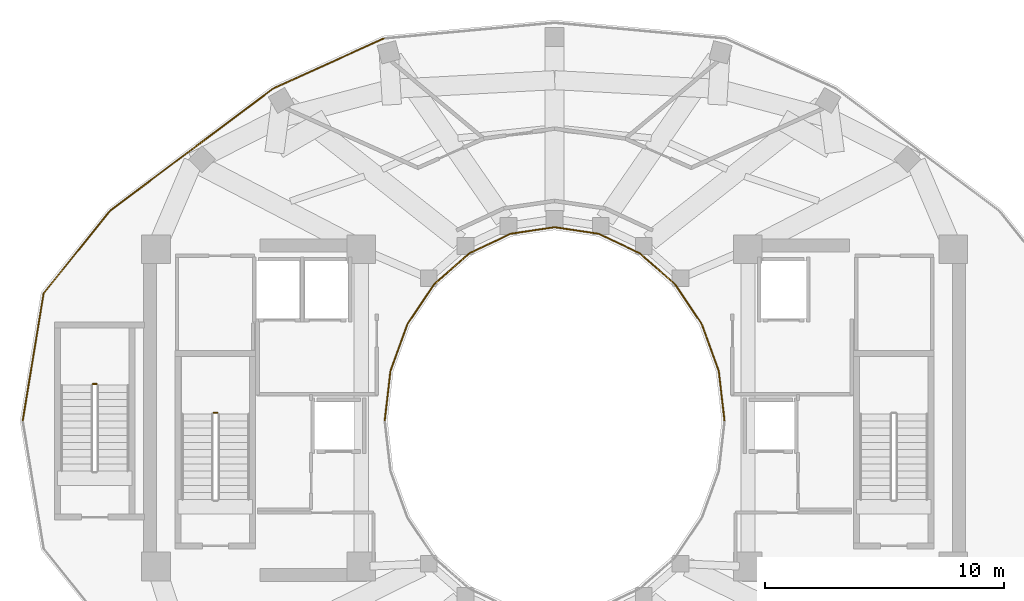
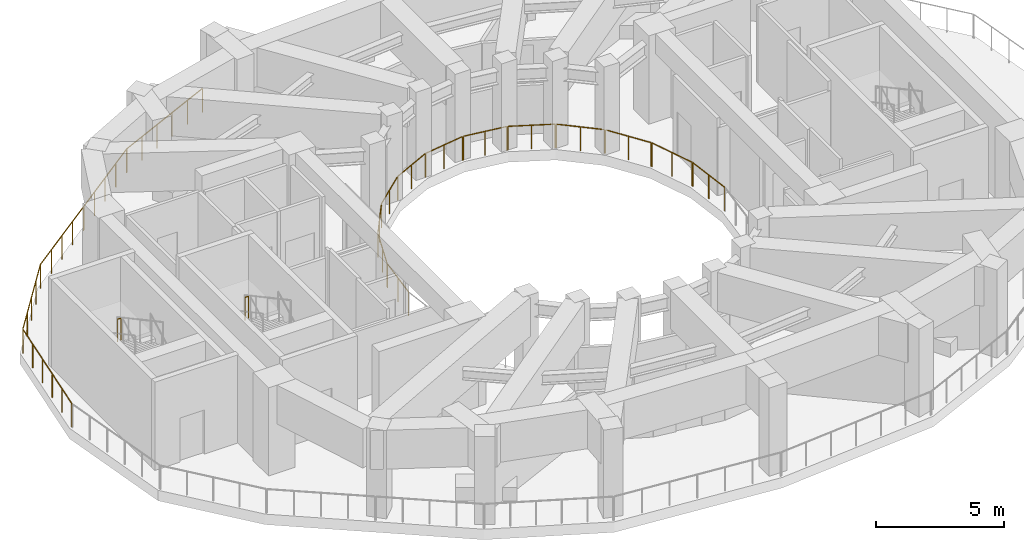
# One storey, part 7 of 9: 19 railings.
"""IFC4 building model written with IfcOpenShell, lengths in metres."""

from ifc_helpers import new_model, si_unit, direction, frame, origin, origin_2d, place, context, subcontext, project, spatial, circle, extrude, material, type_object, element, save


model = new_model("IFC4")

# Units and contexts
model_context = context("Model", 3, precision=1e-05, world=origin(), true_north=direction((0.0, 1.0)))
body_context = subcontext(model_context, "Body", "Model", "MODEL_VIEW")
ifc_project = project(units=[si_unit("LENGTHUNIT", "METRE"), si_unit("AREAUNIT", "SQUARE_METRE"), si_unit("VOLUMEUNIT", "CUBIC_METRE"), si_unit("PLANEANGLEUNIT", "RADIAN"), si_unit("MASSUNIT", "GRAM", prefix="KILO")], contexts=[model_context])

# Site, building, storey
site_placement = place(None, origin())
site = spatial("IfcSite", under=ifc_project, at=site_placement, CompositionType="ELEMENT")
building_placement = place(site_placement, origin())
building = spatial("IfcBuilding", under=site, at=building_placement, Name="Solvane Sanctuary Tower", CompositionType="ELEMENT")
storey_placement = place(building_placement, frame((0.0, 0.0, 197.39990234375)))
storey = spatial("IfcBuildingStorey", under=building, at=storey_placement, Name="L60", CompositionType="ELEMENT", Elevation=197.39990234375)

# Railings
ifc_material = material(Name="Architectural Stainless Steel 316", Category="steel")
railing_type_1 = type_object("IfcRailingType", Name="Railing GR-BALC-1150", PredefinedType="BALUSTRADE", material=ifc_material)
railing_1_placement = place(storey_placement, frame((24.8369140625, 39.022216796875, 0.0)))
element("IfcRailing", 1, at=railing_1_placement, inside=storey, type_object=railing_type_1, Name="L60 Open Void-Portal Perimeter Balustrade 07", PredefinedType="BALUSTRADE", context=body_context, shape_type="SweptSolid", body=[
    extrude(circle(Radius=0.02392578125, at=origin_2d()), frame((0.0, 0.0, 1.1259765625), z_axis=(-0.911317289511, -0.411704745952, 0.0), x_axis=(0.411704745952, -0.911317289511, 0.0)), (0.0, 0.0, 1.0), 5.04345703125),
    extrude(circle(Radius=0.02099609375, at=origin_2d()), origin(), (0.0, 0.0, 1.0), 1.101806640625),
    extrude(circle(Radius=0.02099609375, at=origin_2d()), frame((-0.919189453125, -0.415283203125, 0.0)), (0.0, 0.0, 1.0), 1.101806640625),
    extrude(circle(Radius=0.02099609375, at=origin_2d()), frame((-1.83837890625, -0.83056640625, 0.0)), (0.0, 0.0, 1.0), 1.101806640625),
    extrude(circle(Radius=0.02099609375, at=origin_2d()), frame((-2.7578125, -1.245849609375, 0.0)), (0.0, 0.0, 1.0), 1.101806640625),
    extrude(circle(Radius=0.02099609375, at=origin_2d()), frame((-3.677001953125, -1.6611328125, 0.0)), (0.0, 0.0, 1.0), 1.101806640625),
    extrude(circle(Radius=0.02099609375, at=origin_2d()), frame((-4.59619140625, -2.076416015625, 0.0)), (0.0, 0.0, 1.0), 1.101806640625),
])
railing_2_placement = place(storey_placement, frame((20.20654296875, 36.925537109375, 0.0)))
element("IfcRailing", 2, at=railing_2_placement, inside=storey, type_object=railing_type_1, Name="L60 Open Void-Portal Perimeter Balustrade 08", PredefinedType="BALUSTRADE", context=body_context, shape_type="SweptSolid", body=[
    extrude(circle(Radius=0.02392578125, at=origin_2d()), frame((0.0, 0.0, 1.1259765625), z_axis=(-0.800193888641, -0.599741394754, 0.0), x_axis=(0.599741394754, -0.800193888641, 0.0)), (0.0, 0.0, 1.0), 4.22998046875),
    extrude(circle(Radius=0.02099609375, at=origin_2d()), origin(), (0.0, 0.0, 1.0), 1.101806640625),
    extrude(circle(Radius=0.02099609375, at=origin_2d()), frame((-0.84619140625, -0.63427734375, 0.0)), (0.0, 0.0, 1.0), 1.101806640625),
    extrude(circle(Radius=0.02099609375, at=origin_2d()), frame((-1.6923828125, -1.2685546875, 0.0)), (0.0, 0.0, 1.0), 1.101806640625),
    extrude(circle(Radius=0.02099609375, at=origin_2d()), frame((-2.53857421875, -1.902587890625, 0.0)), (0.0, 0.0, 1.0), 1.101806640625),
    extrude(circle(Radius=0.02099609375, at=origin_2d()), frame((-3.384765625, -2.536865234375, 0.0)), (0.0, 0.0, 1.0), 1.101806640625),
])
railing_3_placement = place(storey_placement, frame((16.789794921875, 34.36474609375, 0.0)))
element("IfcRailing", 3, at=railing_3_placement, inside=storey, type_object=railing_type_1, Name="L60 Open Void-Portal Perimeter Balustrade 09", PredefinedType="BALUSTRADE", context=body_context, shape_type="SweptSolid", body=[
    extrude(circle(Radius=0.02392578125, at=origin_2d()), frame((0.0, 0.0, 1.1259765625), z_axis=(-0.800781696112, -0.598956321589, 0.0), x_axis=(0.598956321589, -0.800781696112, 0.0)), (0.0, 0.0, 1.0), 4.2314453125),
    extrude(circle(Radius=0.02099609375, at=origin_2d()), origin(), (0.0, 0.0, 1.0), 1.101806640625),
    extrude(circle(Radius=0.02099609375, at=origin_2d()), frame((-0.84716796875, -0.633544921875, 0.0)), (0.0, 0.0, 1.0), 1.101806640625),
    extrude(circle(Radius=0.02099609375, at=origin_2d()), frame((-1.6943359375, -1.26708984375, 0.0)), (0.0, 0.0, 1.0), 1.101806640625),
    extrude(circle(Radius=0.02099609375, at=origin_2d()), frame((-2.541259765625, -1.90087890625, 0.0)), (0.0, 0.0, 1.0), 1.101806640625),
    extrude(circle(Radius=0.02099609375, at=origin_2d()), frame((-3.388427734375, -2.534423828125, 0.0)), (0.0, 0.0, 1.0), 1.101806640625),
])
railing_4_placement = place(storey_placement, frame((13.372802734375, 31.802734375, 0.0)))
element("IfcRailing", 4, at=railing_4_placement, inside=storey, type_object=railing_type_1, Name="L60 Open Void-Portal Perimeter Balustrade 10", PredefinedType="BALUSTRADE", context=body_context, shape_type="SweptSolid", body=[
    extrude(circle(Radius=0.02392578125, at=origin_2d()), frame((0.0, 0.0, 1.1259765625), z_axis=(-0.627456229841, -0.778651834669, 0.0), x_axis=(0.778651834669, -0.627456229841, 0.0)), (0.0, 0.0, 1.0), 4.414794921875),
    extrude(circle(Radius=0.02099609375, at=origin_2d()), origin(), (0.0, 0.0, 1.0), 1.101806640625),
    extrude(circle(Radius=0.02099609375, at=origin_2d()), frame((-0.6923828125, -0.859375, 0.0)), (0.0, 0.0, 1.0), 1.101806640625),
    extrude(circle(Radius=0.02099609375, at=origin_2d()), frame((-1.385009765625, -1.71875, 0.0)), (0.0, 0.0, 1.0), 1.101806640625),
    extrude(circle(Radius=0.02099609375, at=origin_2d()), frame((-2.07763671875, -2.578125, 0.0)), (0.0, 0.0, 1.0), 1.101806640625),
    extrude(circle(Radius=0.02099609375, at=origin_2d()), frame((-2.77001953125, -3.4375, 0.0)), (0.0, 0.0, 1.0), 1.101806640625),
])
railing_5_placement = place(storey_placement, frame((10.587158203125, 28.329833984375, 0.0)))
element("IfcRailing", 5, at=railing_5_placement, inside=storey, type_object=railing_type_1, Name="L60 Open Void-Portal Perimeter Balustrade 11", PredefinedType="BALUSTRADE", context=body_context, shape_type="SweptSolid", body=[
    extrude(circle(Radius=0.02392578125, at=origin_2d()), frame((0.0, 0.0, 1.1259765625), z_axis=(-0.162058943267, -0.986781079524, 0.0), x_axis=(0.986781079524, -0.162058943267, 0.0)), (0.0, 0.0, 1.0), 5.381103515625),
    extrude(circle(Radius=0.02099609375, at=origin_2d()), origin(), (0.0, 0.0, 1.0), 1.101806640625),
    extrude(circle(Radius=0.02099609375, at=origin_2d()), frame((-0.17431640625, -1.06201171875, 0.0)), (0.0, 0.0, 1.0), 1.101806640625),
    extrude(circle(Radius=0.02099609375, at=origin_2d()), frame((-0.348876953125, -2.1240234375, 0.0)), (0.0, 0.0, 1.0), 1.101806640625),
    extrude(circle(Radius=0.02099609375, at=origin_2d()), frame((-0.523193359375, -3.18603515625, 0.0)), (0.0, 0.0, 1.0), 1.101806640625),
    extrude(circle(Radius=0.02099609375, at=origin_2d()), frame((-0.69775390625, -4.248046875, 0.0)), (0.0, 0.0, 1.0), 1.101806640625),
    extrude(circle(Radius=0.02099609375, at=origin_2d()), frame((-0.8720703125, -5.31005859375, 0.0)), (0.0, 0.0, 1.0), 1.101806640625),
])
for number, where, name in (
    (6, (17.8701171875, 23.35009765625, 2.10009765625), "L60 ST-1 stair guard 2"),
    (7, (12.81005859375, 24.550048828125, 2.10009765625), "L60 ST-3 stair guard 2"),
):
    element("IfcRailing", number, at=place(storey_placement, frame(where)), inside=storey, type_object=railing_type_1, Name=name, PredefinedType="BALUSTRADE", context=body_context, shape_type="SweptSolid", body=[
        extrude(circle(Radius=0.02392578125, at=origin_2d()), frame((0.0, 0.0, 1.076171875), z_axis=(-1.0, 0.0, 0.0), x_axis=(0.0, -1.0, 0.0)), (0.0, 0.0, 1.0), 0.16015625),
        extrude(circle(Radius=0.02099609375, at=origin_2d()), origin(), (0.0, 0.0, 1.0), 1.052001953125),
        extrude(circle(Radius=0.02099609375, at=origin_2d()), frame((-0.16015625, 0.0, 0.0)), (0.0, 0.0, 1.0), 1.052001953125),
    ])
railing_type_2 = type_object("IfcRailingType", Name="Railing GR-WELL-1150", PredefinedType="GUARDRAIL", material=ifc_material)
railing_6_placement = place(storey_placement, frame((39.11767578125, 23.02001953125, 0.0)))
element("IfcRailing", 8, at=railing_6_placement, inside=storey, type_object=railing_type_2, Name="L60 Open Refuge Light-Well Guardrail 00", PredefinedType="GUARDRAIL", context=body_context, shape_type="SweptSolid", body=[
    extrude(circle(Radius=0.02392578125, at=origin_2d()), frame((0.0, 0.0, 1.1259765625), z_axis=(-0.114691080618, 0.993401205972, 0.0), x_axis=(-0.993401205972, -0.114691080618, 0.0)), (0.0, 0.0, 1.0), 2.075439453125),
    extrude(circle(Radius=0.02099609375, at=origin_2d()), origin(), (0.0, 0.0, 1.0), 1.101806640625),
    extrude(circle(Radius=0.02099609375, at=origin_2d()), frame((-0.119140625, 1.03076171875, 0.0)), (0.0, 0.0, 1.0), 1.101806640625),
    extrude(circle(Radius=0.02099609375, at=origin_2d()), frame((-0.238037109375, 2.061767578125, 0.0)), (0.0, 0.0, 1.0), 1.101806640625),
])
railing_7_placement = place(storey_placement, frame((38.87060546875, 25.120361328125, 0.0)))
element("IfcRailing", 9, at=railing_7_placement, inside=storey, type_object=railing_type_2, Name="L60 Open Refuge Light-Well Guardrail 01", PredefinedType="GUARDRAIL", context=body_context, shape_type="SweptSolid", body=[
    extrude(circle(Radius=0.02392578125, at=origin_2d()), frame((0.0, 0.0, 1.1259765625), z_axis=(-0.341416925197, 0.93991195502, 0.0), x_axis=(-0.93991195502, -0.341416925197, 0.0)), (0.0, 0.0, 1.0), 2.043701171875),
    extrude(circle(Radius=0.02099609375, at=origin_2d()), origin(), (0.0, 0.0, 1.0), 1.101806640625),
    extrude(circle(Radius=0.02099609375, at=origin_2d()), frame((-0.348876953125, 0.96044921875, 0.0)), (0.0, 0.0, 1.0), 1.101806640625),
    extrude(circle(Radius=0.02099609375, at=origin_2d()), frame((-0.69775390625, 1.9208984375, 0.0)), (0.0, 0.0, 1.0), 1.101806640625),
])
railing_8_placement = place(storey_placement, frame((38.15478515625, 27.07666015625, 0.0)))
element("IfcRailing", 10, at=railing_8_placement, inside=storey, type_object=railing_type_2, Name="L60 Open Refuge Light-Well Guardrail 02", PredefinedType="GUARDRAIL", context=body_context, shape_type="SweptSolid", body=[
    extrude(circle(Radius=0.02392578125, at=origin_2d()), frame((0.0, 0.0, 1.1259765625), z_axis=(-0.558155157445, 0.829736596889, 0.0), x_axis=(-0.829736596889, -0.558155157445, 0.0)), (0.0, 0.0, 1.0), 1.98681640625),
    extrude(circle(Radius=0.02099609375, at=origin_2d()), origin(), (0.0, 0.0, 1.0), 1.101806640625),
    extrude(circle(Radius=0.02099609375, at=origin_2d()), frame((-0.554443359375, 0.82421875, 0.0)), (0.0, 0.0, 1.0), 1.101806640625),
    extrude(circle(Radius=0.02099609375, at=origin_2d()), frame((-1.10888671875, 1.6484375, 0.0)), (0.0, 0.0, 1.0), 1.101806640625),
])
railing_9_placement = place(storey_placement, frame((37.01953125, 28.7548828125, 0.0)))
element("IfcRailing", 11, at=railing_9_placement, inside=storey, type_object=railing_type_2, Name="L60 Open Refuge Light-Well Guardrail 03", PredefinedType="GUARDRAIL", context=body_context, shape_type="SweptSolid", body=[
    extrude(circle(Radius=0.02392578125, at=origin_2d()), frame((0.0, 0.0, 1.1259765625), z_axis=(-0.752545174005, 0.658540629788, 0.0), x_axis=(-0.658540629788, -0.752545174005, 0.0)), (0.0, 0.0, 1.0), 1.919189453125),
    extrude(circle(Radius=0.02099609375, at=origin_2d()), origin(), (0.0, 0.0, 1.0), 1.101806640625),
    extrude(circle(Radius=0.02099609375, at=origin_2d()), frame((-0.72216796875, 0.6318359375, 0.0)), (0.0, 0.0, 1.0), 1.101806640625),
    extrude(circle(Radius=0.02099609375, at=origin_2d()), frame((-1.4443359375, 1.263916015625, 0.0)), (0.0, 0.0, 1.0), 1.101806640625),
])
railing_10_placement = place(storey_placement, frame((35.5419921875, 30.04052734375, 0.0)))
element("IfcRailing", 12, at=railing_10_placement, inside=storey, type_object=railing_type_2, Name="L60 Open Refuge Light-Well Guardrail 04", PredefinedType="GUARDRAIL", context=body_context, shape_type="SweptSolid", body=[
    extrude(circle(Radius=0.02392578125, at=origin_2d()), frame((0.0, 0.0, 1.1259765625), z_axis=(-0.90418385242, 0.427143489968, 0.0), x_axis=(-0.427143489968, -0.90418385242, 0.0)), (0.0, 0.0, 1.0), 1.859375),
    extrude(circle(Radius=0.02099609375, at=origin_2d()), origin(), (0.0, 0.0, 1.0), 1.101806640625),
    extrude(circle(Radius=0.02099609375, at=origin_2d()), frame((-0.840576171875, 0.39697265625, 0.0)), (0.0, 0.0, 1.0), 1.101806640625),
    extrude(circle(Radius=0.02099609375, at=origin_2d()), frame((-1.68115234375, 0.794189453125, 0.0)), (0.0, 0.0, 1.0), 1.101806640625),
])
railing_11_placement = place(storey_placement, frame((33.822998046875, 30.84619140625, 0.0)))
element("IfcRailing", 13, at=railing_11_placement, inside=storey, type_object=railing_type_2, Name="L60 Open Refuge Light-Well Guardrail 05", PredefinedType="GUARDRAIL", context=body_context, shape_type="SweptSolid", body=[
    extrude(circle(Radius=0.02392578125, at=origin_2d()), frame((0.0, 0.0, 1.1259765625), z_axis=(-0.988914736588, 0.148484489964, 0.0), x_axis=(-0.148484489964, -0.988914736588, 0.0)), (0.0, 0.0, 1.0), 1.823486328125),
    extrude(circle(Radius=0.02099609375, at=origin_2d()), origin(), (0.0, 0.0, 1.0), 1.101806640625),
    extrude(circle(Radius=0.02099609375, at=origin_2d()), frame((-0.901611328125, 0.13525390625, 0.0)), (0.0, 0.0, 1.0), 1.101806640625),
    extrude(circle(Radius=0.02099609375, at=origin_2d()), frame((-1.80322265625, 0.270751953125, 0.0)), (0.0, 0.0, 1.0), 1.101806640625),
])
railing_12_placement = place(storey_placement, frame((31.980224609375, 31.116943359375, 0.0)))
element("IfcRailing", 14, at=railing_12_placement, inside=storey, type_object=railing_type_2, Name="L60 Open Refuge Light-Well Guardrail 06", PredefinedType="GUARDRAIL", context=body_context, shape_type="SweptSolid", body=[
    extrude(circle(Radius=0.02392578125, at=origin_2d()), frame((0.0, 0.0, 1.1259765625), z_axis=(-0.988914736588, -0.148484489964, 0.0), x_axis=(0.148484489964, -0.988914736588, 0.0)), (0.0, 0.0, 1.0), 1.823486328125),
    extrude(circle(Radius=0.02099609375, at=origin_2d()), origin(), (0.0, 0.0, 1.0), 1.101806640625),
    extrude(circle(Radius=0.02099609375, at=origin_2d()), frame((-0.901611328125, -0.13525390625, 0.0)), (0.0, 0.0, 1.0), 1.101806640625),
    extrude(circle(Radius=0.02099609375, at=origin_2d()), frame((-1.80322265625, -0.270751953125, 0.0)), (0.0, 0.0, 1.0), 1.101806640625),
])
railing_13_placement = place(storey_placement, frame((30.13916015625, 30.834716796875, 0.0)))
element("IfcRailing", 15, at=railing_13_placement, inside=storey, type_object=railing_type_2, Name="L60 Open Refuge Light-Well Guardrail 07", PredefinedType="GUARDRAIL", context=body_context, shape_type="SweptSolid", body=[
    extrude(circle(Radius=0.02392578125, at=origin_2d()), frame((0.0, 0.0, 1.1259765625), z_axis=(-0.90418385242, -0.427143489968, 0.0), x_axis=(0.427143489968, -0.90418385242, 0.0)), (0.0, 0.0, 1.0), 1.859375),
    extrude(circle(Radius=0.02099609375, at=origin_2d()), origin(), (0.0, 0.0, 1.0), 1.101806640625),
    extrude(circle(Radius=0.02099609375, at=origin_2d()), frame((-0.840576171875, -0.39697265625, 0.0)), (0.0, 0.0, 1.0), 1.101806640625),
    extrude(circle(Radius=0.02099609375, at=origin_2d()), frame((-1.68115234375, -0.794189453125, 0.0)), (0.0, 0.0, 1.0), 1.101806640625),
])
railing_14_placement = place(storey_placement, frame((28.4248046875, 30.018798828125, 0.0)))
element("IfcRailing", 16, at=railing_14_placement, inside=storey, type_object=railing_type_2, Name="L60 Open Refuge Light-Well Guardrail 08", PredefinedType="GUARDRAIL", context=body_context, shape_type="SweptSolid", body=[
    extrude(circle(Radius=0.02392578125, at=origin_2d()), frame((0.0, 0.0, 1.1259765625), z_axis=(-0.752545174005, -0.658540629788, 0.0), x_axis=(0.658540629788, -0.752545174005, 0.0)), (0.0, 0.0, 1.0), 1.919189453125),
    extrude(circle(Radius=0.02099609375, at=origin_2d()), origin(), (0.0, 0.0, 1.0), 1.101806640625),
    extrude(circle(Radius=0.02099609375, at=origin_2d()), frame((-0.72216796875, -0.6318359375, 0.0)), (0.0, 0.0, 1.0), 1.101806640625),
    extrude(circle(Radius=0.02099609375, at=origin_2d()), frame((-1.4443359375, -1.263916015625, 0.0)), (0.0, 0.0, 1.0), 1.101806640625),
])
railing_15_placement = place(storey_placement, frame((26.9541015625, 28.72509765625, 0.0)))
element("IfcRailing", 17, at=railing_15_placement, inside=storey, type_object=railing_type_2, Name="L60 Open Refuge Light-Well Guardrail 09", PredefinedType="GUARDRAIL", context=body_context, shape_type="SweptSolid", body=[
    extrude(circle(Radius=0.02392578125, at=origin_2d()), frame((0.0, 0.0, 1.1259765625), z_axis=(-0.558155157445, -0.829736596889, 0.0), x_axis=(0.829736596889, -0.558155157445, 0.0)), (0.0, 0.0, 1.0), 1.98681640625),
    extrude(circle(Radius=0.02099609375, at=origin_2d()), origin(), (0.0, 0.0, 1.0), 1.101806640625),
    extrude(circle(Radius=0.02099609375, at=origin_2d()), frame((-0.554443359375, -0.82421875, 0.0)), (0.0, 0.0, 1.0), 1.101806640625),
    extrude(circle(Radius=0.02099609375, at=origin_2d()), frame((-1.10888671875, -1.6484375, 0.0)), (0.0, 0.0, 1.0), 1.101806640625),
])
railing_16_placement = place(storey_placement, frame((25.8271484375, 27.041259765625, 0.0)))
element("IfcRailing", 18, at=railing_16_placement, inside=storey, type_object=railing_type_2, Name="L60 Open Refuge Light-Well Guardrail 10", PredefinedType="GUARDRAIL", context=body_context, shape_type="SweptSolid", body=[
    extrude(circle(Radius=0.02392578125, at=origin_2d()), frame((0.0, 0.0, 1.1259765625), z_axis=(-0.341416925197, -0.93991195502, 0.0), x_axis=(0.93991195502, -0.341416925197, 0.0)), (0.0, 0.0, 1.0), 2.043701171875),
    extrude(circle(Radius=0.02099609375, at=origin_2d()), origin(), (0.0, 0.0, 1.0), 1.101806640625),
    extrude(circle(Radius=0.02099609375, at=origin_2d()), frame((-0.348876953125, -0.96044921875, 0.0)), (0.0, 0.0, 1.0), 1.101806640625),
    extrude(circle(Radius=0.02099609375, at=origin_2d()), frame((-0.69775390625, -1.9208984375, 0.0)), (0.0, 0.0, 1.0), 1.101806640625),
])
railing_17_placement = place(storey_placement, frame((25.120361328125, 25.081787109375, 0.0)))
element("IfcRailing", 19, at=railing_17_placement, inside=storey, type_object=railing_type_2, Name="L60 Open Refuge Light-Well Guardrail 11", PredefinedType="GUARDRAIL", context=body_context, shape_type="SweptSolid", body=[
    extrude(circle(Radius=0.02392578125, at=origin_2d()), frame((0.0, 0.0, 1.1259765625), z_axis=(-0.114691080618, -0.993401205972, 0.0), x_axis=(0.993401205972, -0.114691080618, 0.0)), (0.0, 0.0, 1.0), 2.075439453125),
    extrude(circle(Radius=0.02099609375, at=origin_2d()), origin(), (0.0, 0.0, 1.0), 1.101806640625),
    extrude(circle(Radius=0.02099609375, at=origin_2d()), frame((-0.119140625, -1.03076171875, 0.0)), (0.0, 0.0, 1.0), 1.101806640625),
    extrude(circle(Radius=0.02099609375, at=origin_2d()), frame((-0.238037109375, -2.061767578125, 0.0)), (0.0, 0.0, 1.0), 1.101806640625),
])

save(model, "model.ifc")
